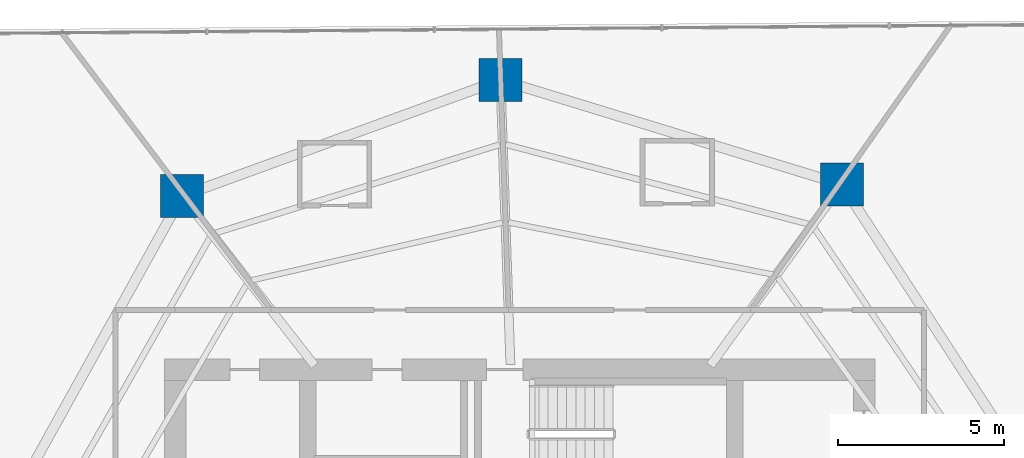
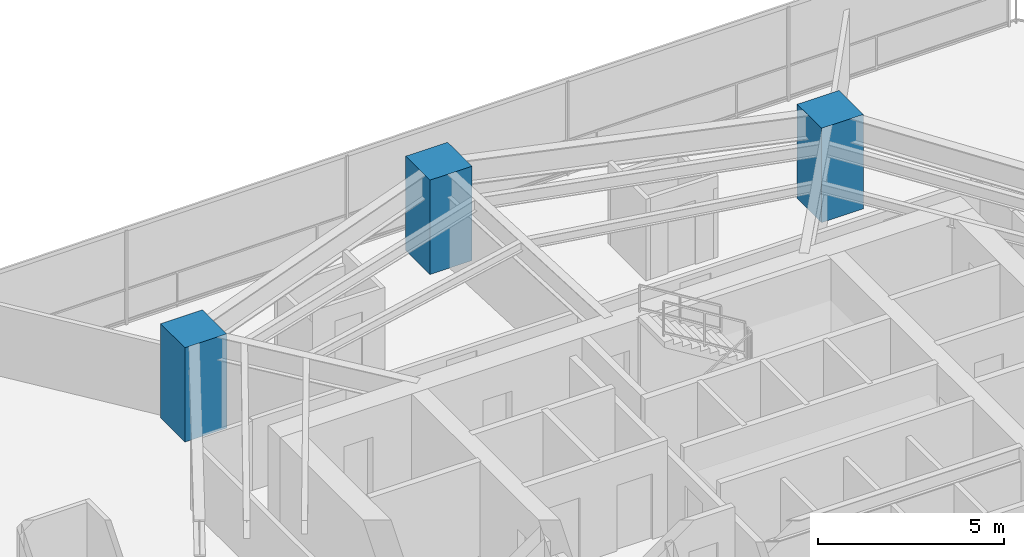
# One storey, part 2 of 31: 3 columns.
"""IFC4 building model written with IfcOpenShell, lengths in metres."""

from ifc_helpers import new_model, si_unit, direction, frame, origin, origin_2d, place, context, subcontext, project, spatial, rectangle, extrude, material, material_profile, profile_set, type_object, element, save


model = new_model("IFC4")

# Units and contexts
model_context = context("Model", 3, precision=1e-05, world=origin(), true_north=direction((0.0, 1.0)))
body_context = subcontext(model_context, "Body", "Model", "MODEL_VIEW")
ifc_project = project(units=[si_unit("LENGTHUNIT", "METRE"), si_unit("AREAUNIT", "SQUARE_METRE"), si_unit("VOLUMEUNIT", "CUBIC_METRE"), si_unit("PLANEANGLEUNIT", "RADIAN"), si_unit("MASSUNIT", "GRAM", prefix="KILO")], contexts=[model_context])

# Site, building, storey
site_placement = place(None, origin())
site = spatial("IfcSite", under=ifc_project, at=site_placement, CompositionType="ELEMENT")
building_placement = place(site_placement, origin())
building = spatial("IfcBuilding", under=site, at=building_placement, Name="Qarnah Convention Tower", CompositionType="ELEMENT")
storey_placement = place(building_placement, frame((0.0, 0.0, 68.39990234375)))
storey = spatial("IfcBuildingStorey", under=building, at=storey_placement, Name="L17", CompositionType="ELEMENT", Elevation=68.39990234375)

# Columns
ifc_material = material(Name="Concrete C60/75", Category="concrete")
ifc_material_profile = material_profile(ifc_material, rectangle(XDim=1.300048828125, YDim=1.300048828125, at=origin_2d()), Name="RC-COL-1300X1300")
ifc_profile_set = profile_set([ifc_material_profile], Name="Concrete C60/75")
column_type = type_object("IfcColumnType", Name="COL-Z1-1300", PredefinedType="COLUMN", material=ifc_profile_set)
for number, where, z_axis, x_axis, name in (
    (1, (46.927978515625, 39.7890625, 0.0), (0.0, 0.0, 1.0), (1.0, 0.0, 0.0), "L17 plumb column PC-Z1-02"),
    (2, (36.6220703125, 42.93994140625, 0.0), (0.0, 0.0, 1.0), (1.0, 0.0, 0.0), "L17 plumb column PC-Z1-03"),
    (3, (27.010986328125, 39.44189453125, 0.0), (0.0, 0.0, 1.0), (1.0, 0.0, 0.0), "L17 plumb column PC-Z1-04"),
):
    element("IfcColumn", number, at=place(storey_placement, frame(where, z_axis=z_axis, x_axis=x_axis)), inside=storey, type_object=column_type, Name=name, PredefinedType="COLUMN", context=body_context, shape_type="SweptSolid", body=[
        extrude(rectangle(XDim=1.300048828125, YDim=1.300048828125, at=origin_2d()), origin(), (0.0, 0.0, 1.0), 3.090087890625),
    ])

save(model, "model.ifc")
